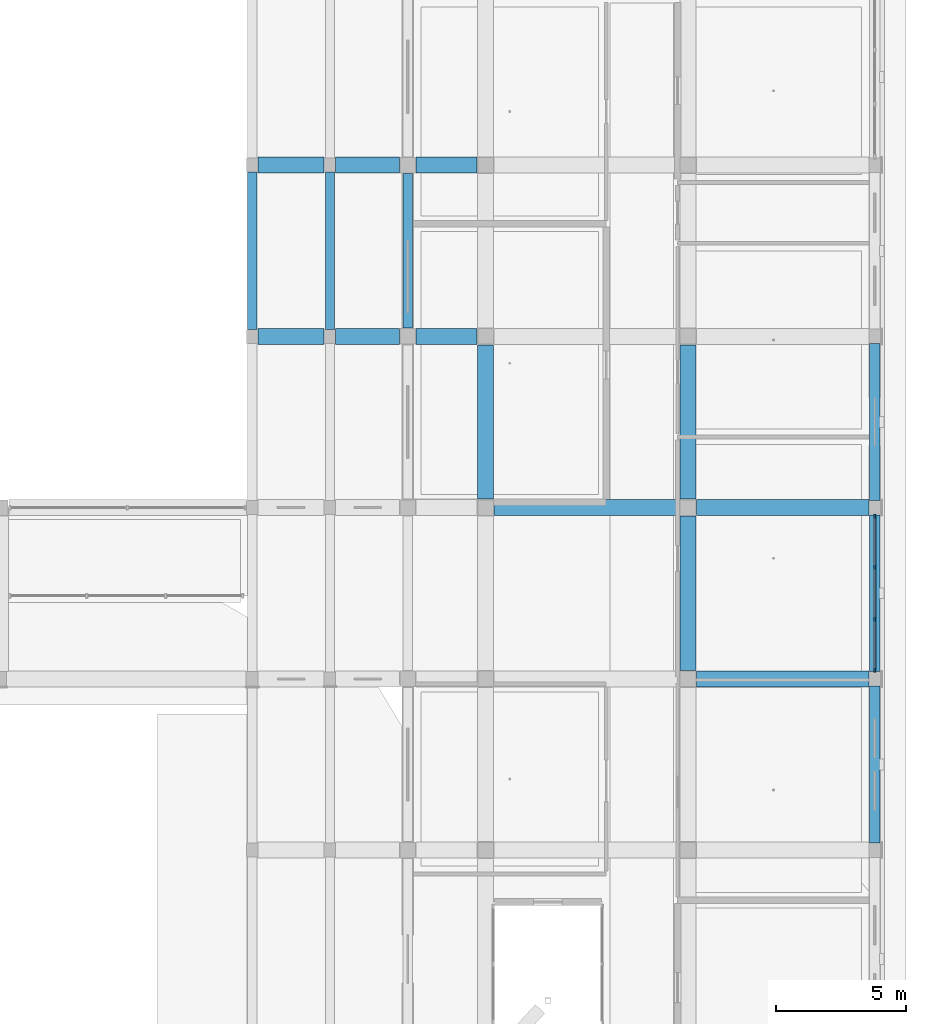
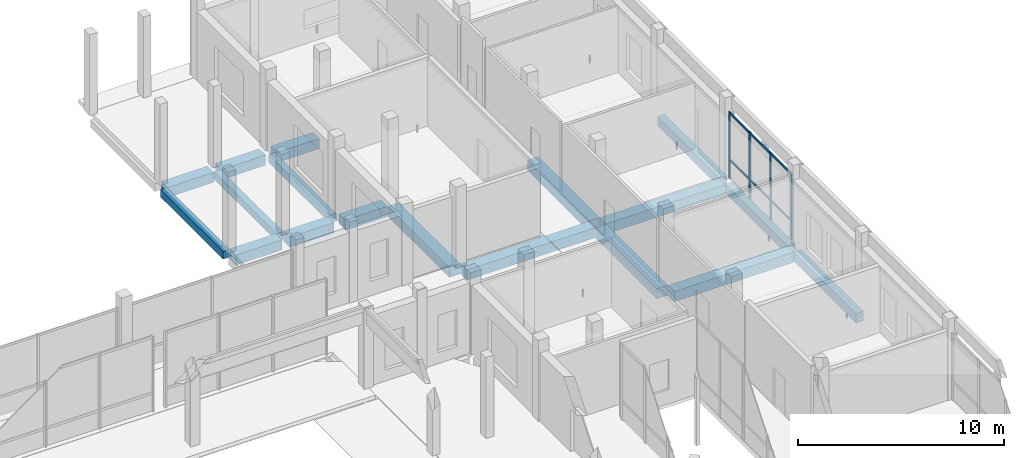
# One storey, part 38 of 88: 18 beams, 6 members, 1 element without a shape of its own.
"""IFC4 building model written with IfcOpenShell, lengths in metres."""

from ifc_helpers import new_model, si_unit, derived_unit, direction, frame, origin, origin_2d, place, context, subcontext, project, spatial, rectangle, extrude, material, material_profile, profile_set, type_object, element, aggregate, save


model = new_model("IFC4")

# Units and contexts
model_context = context("Model", 3, precision=1e-05, world=origin(), true_north=direction((0.0, 1.0)))
body_context = subcontext(model_context, "Body", "Model", "MODEL_VIEW")
ifc_project = project(units=[si_unit("LENGTHUNIT", "METRE"), si_unit("AREAUNIT", "SQUARE_METRE"), si_unit("VOLUMEUNIT", "CUBIC_METRE"), si_unit("PLANEANGLEUNIT", "RADIAN"), si_unit("MASSUNIT", "GRAM", prefix="KILO"), derived_unit("THERMALTRANSMITTANCEUNIT", [(si_unit("POWERUNIT", "WATT"), 1), (si_unit("LENGTHUNIT", "METRE"), -2), (si_unit("THERMODYNAMICTEMPERATUREUNIT", "KELVIN"), -1)])], contexts=[model_context])

# Site, building, storey
site_placement = place(None, origin())
site = spatial("IfcSite", under=ifc_project, at=site_placement, CompositionType="ELEMENT")
building_placement = place(site_placement, origin())
building = spatial("IfcBuilding", under=site, at=building_placement, Name="Braskholm Square Health Centre", CompositionType="ELEMENT")
storey_placement = place(building_placement, origin())
storey = spatial("IfcBuildingStorey", under=building, at=storey_placement, Name="L01", CompositionType="ELEMENT", Elevation=0.0)

# Curtain wall, members
ifc_material_1 = material(Name="Low-E triple insulating glass (VLT 0.64)", Category="glass")
curtain_wall_type = type_object("IfcCurtainWallType", Name="UnitisedCurtainWall6200x4100", PredefinedType="NOTDEFINED", material=ifc_material_1)
curtain_wall_placement = place(storey_placement, origin())
curtain_wall = element("IfcCurtainWall", 1, at=curtain_wall_placement, inside=storey, type_object=curtain_wall_type, Name="East Storefront unitised curtain wall CW-L01-0050", PredefinedType="NOTDEFINED")
ifc_material_2 = material(Name="Architectural bronze anodised aluminium", Category="aluminium")
ifc_material_profile_1 = material_profile(ifc_material_2, rectangle(XDim=0.06494140625, YDim=0.14990234375, at=origin_2d()), Name="ALU-65X150")
ifc_profile_set_1 = profile_set([ifc_material_profile_1], Name="Architectural bronze anodised aluminium")
member_type_1 = type_object("IfcMemberType", Name="CurtainWallMullion65x150", PredefinedType="MULLION", material=ifc_profile_set_1)
member_1_placement = place(storey_placement, frame((163.800048828125, 87.526123046875, 0.0), z_axis=(0.0, 0.0, 1.0), x_axis=(1.0, 0.0, 0.0)))
member_1 = element("IfcMember", 2, at=member_1_placement, type_object=member_type_1, Name="CW-L01-0050 vertical mullion 1", PredefinedType="MULLION", context=body_context, shape_type="SweptSolid", body=[
    extrude(rectangle(XDim=0.06494140625, YDim=0.14990234375, at=origin_2d()), origin(), (0.0, 0.0, 1.0), 3.949951171875),
])
member_2_placement = place(storey_placement, frame((163.800048828125, 89.49658203125, 0.0), z_axis=(0.0, 0.0, 1.0), x_axis=(1.0, 0.0, 0.0)))
member_2 = element("IfcMember", 3, at=member_2_placement, type_object=member_type_1, Name="CW-L01-0050 vertical mullion 2", PredefinedType="MULLION", context=body_context, shape_type="SweptSolid", body=[
    extrude(rectangle(XDim=0.06494140625, YDim=0.14990234375, at=origin_2d()), origin(), (0.0, 0.0, 1.0), 3.949951171875),
])
member_3_placement = place(storey_placement, frame((163.800048828125, 91.50341796875, 0.0), z_axis=(0.0, 0.0, 1.0), x_axis=(1.0, 0.0, 0.0)))
member_3 = element("IfcMember", 4, at=member_3_placement, type_object=member_type_1, Name="CW-L01-0050 vertical mullion 3", PredefinedType="MULLION", context=body_context, shape_type="SweptSolid", body=[
    extrude(rectangle(XDim=0.06494140625, YDim=0.14990234375, at=origin_2d()), origin(), (0.0, 0.0, 1.0), 3.949951171875),
])
member_4_placement = place(storey_placement, frame((163.800048828125, 93.473876953125, 0.0), z_axis=(0.0, 0.0, 1.0), x_axis=(1.0, 0.0, 0.0)))
member_4 = element("IfcMember", 5, at=member_4_placement, type_object=member_type_1, Name="CW-L01-0050 vertical mullion 4", PredefinedType="MULLION", context=body_context, shape_type="SweptSolid", body=[
    extrude(rectangle(XDim=0.06494140625, YDim=0.14990234375, at=origin_2d()), origin(), (0.0, 0.0, 1.0), 3.949951171875),
])
ifc_material_profile_2 = material_profile(ifc_material_2, rectangle(XDim=0.06494140625, YDim=0.1201171875, at=origin_2d()), Name="ALU-65X120")
ifc_profile_set_2 = profile_set([ifc_material_profile_2], Name="Architectural bronze anodised aluminium")
member_type_2 = type_object("IfcMemberType", Name="CurtainWallTransom65x120", PredefinedType="USERDEFINED", material=ifc_profile_set_2)
member_5_placement = place(storey_placement, frame((163.800048828125, 87.534912109375, 1.1201171875), z_axis=(0.0, 1.0, 0.0), x_axis=(-1.0, 0.0, 0.0)))
member_5 = element("IfcMember", 6, at=member_5_placement, type_object=member_type_2, Name="CW-L01-0050 horizontal transom 1", ObjectType="TRANSOM", PredefinedType="USERDEFINED", context=body_context, shape_type="SweptSolid", body=[
    extrude(rectangle(XDim=0.06494140625, YDim=0.1201171875, at=origin_2d()), origin(), (0.0, 0.0, 1.0), 5.93017578125),
])
member_6_placement = place(storey_placement, frame((163.800048828125, 87.534912109375, 3.8798828125), z_axis=(0.0, 1.0, 0.0), x_axis=(-1.0, 0.0, 0.0)))
member_6 = element("IfcMember", 7, at=member_6_placement, type_object=member_type_2, Name="CW-L01-0050 horizontal transom 2", ObjectType="TRANSOM", PredefinedType="USERDEFINED", context=body_context, shape_type="SweptSolid", body=[
    extrude(rectangle(XDim=0.06494140625, YDim=0.1201171875, at=origin_2d()), origin(), (0.0, 0.0, 1.0), 5.93017578125),
])
aggregate(curtain_wall, [member_1, member_2, member_3, member_4, member_5, member_6])

# Beams
ifc_material_3 = material(Name="Concrete C40/50 (f'c = 40 MPa)", Category="concrete")
ifc_material_profile_3 = material_profile(ifc_material_3, rectangle(XDim=0.6201171875, YDim=0.60009765625, at=origin_2d()), Name="RCB-620X600")
ifc_profile_set_3 = profile_set([ifc_material_profile_3], Name="Concrete C40/50 (f'c = 40 MPa)")
beam_type_1 = type_object("IfcBeamType", Name="PrimarySubstructureBeam620x600", PredefinedType="BEAM", material=ifc_profile_set_3)
beam_1_placement = place(storey_placement, frame((148.800048828125, 94.125, -0.60009765625), z_axis=(0.0, 1.0, 0.0), x_axis=(-1.0, 0.0, 0.0)))
element("IfcBeam", 8, at=beam_1_placement, inside=storey, type_object=beam_type_1, Name="Beam 20/P-Q L01", PredefinedType="BEAM", context=body_context, shape_type="SweptSolid", body=[
    extrude(rectangle(XDim=0.6201171875, YDim=0.60009765625, at=origin_2d()), origin(), (0.0, 0.0, 1.0), 5.949951171875),
])
beam_2_placement = place(storey_placement, frame((156.60009765625, 87.52490234375, -0.60009765625), z_axis=(0.0, 1.0, 0.0), x_axis=(-1.0, 0.0, 0.0)))
element("IfcBeam", 9, at=beam_2_placement, inside=storey, type_object=beam_type_1, Name="Beam 21/N-P L01", PredefinedType="BEAM", context=body_context, shape_type="SweptSolid", body=[
    extrude(rectangle(XDim=0.6201171875, YDim=0.60009765625, at=origin_2d()), origin(), (0.0, 0.0, 1.0), 5.9501953125),
])
beam_3_placement = place(storey_placement, frame((156.60009765625, 94.125, -0.60009765625), z_axis=(0.0, 1.0, 0.0), x_axis=(-1.0, 0.0, 0.0)))
element("IfcBeam", 10, at=beam_3_placement, inside=storey, type_object=beam_type_1, Name="Beam 21/P-Q L01", PredefinedType="BEAM", context=body_context, shape_type="SweptSolid", body=[
    extrude(rectangle(XDim=0.6201171875, YDim=0.60009765625, at=origin_2d()), origin(), (0.0, 0.0, 1.0), 5.949951171875),
])
beam_4_placement = place(storey_placement, frame((156.925048828125, 87.199951171875, -0.60009765625), z_axis=(1.0, 0.0, 0.0), x_axis=(0.0, 1.0, 0.0)))
element("IfcBeam", 11, at=beam_4_placement, inside=storey, type_object=beam_type_1, Name="Beam 21-22/N L01", PredefinedType="BEAM", context=body_context, shape_type="SweptSolid", body=[
    extrude(rectangle(XDim=0.6201171875, YDim=0.60009765625, at=origin_2d()), origin(), (0.0, 0.0, 1.0), 6.64501953125),
])
beam_5_placement = place(storey_placement, frame((149.125, 93.800048828125, -0.60009765625), z_axis=(1.0, 0.0, 0.0), x_axis=(0.0, 1.0, 0.0)))
element("IfcBeam", 12, at=beam_5_placement, inside=storey, type_object=beam_type_1, Name="Beam 20-21/P L01", PredefinedType="BEAM", context=body_context, shape_type="SweptSolid", body=[
    extrude(rectangle(XDim=0.6201171875, YDim=0.60009765625, at=origin_2d()), origin(), (0.0, 0.0, 1.0), 7.14990234375),
])
beam_6_placement = place(storey_placement, frame((156.925048828125, 93.800048828125, -0.60009765625), z_axis=(1.0, 0.0, 0.0), x_axis=(0.0, 1.0, 0.0)))
element("IfcBeam", 13, at=beam_6_placement, inside=storey, type_object=beam_type_1, Name="Beam 21-22/P L01", PredefinedType="BEAM", context=body_context, shape_type="SweptSolid", body=[
    extrude(rectangle(XDim=0.6201171875, YDim=0.60009765625, at=origin_2d()), origin(), (0.0, 0.0, 1.0), 6.64501953125),
])
beam_7_placement = place(storey_placement, frame((140.02001953125, 100.39990234375, -0.52490234375), z_axis=(1.0, 0.0, 0.0), x_axis=(0.0, 1.0, 0.0)))
element("IfcBeam", 14, at=beam_7_placement, inside=storey, type_object=beam_type_1, Name="Beam 17-18/Q L01", PredefinedType="BEAM", context=body_context, shape_type="SweptSolid", body=[
    extrude(rectangle(XDim=0.6201171875, YDim=0.60009765625, at=origin_2d()), origin(), (0.0, 0.0, 1.0), 2.56005859375),
])
beam_8_placement = place(storey_placement, frame((143.02001953125, 100.39990234375, -0.52490234375), z_axis=(1.0, 0.0, 0.0), x_axis=(0.0, 1.0, 0.0)))
element("IfcBeam", 15, at=beam_8_placement, inside=storey, type_object=beam_type_1, Name="Beam 18-19/Q L01", PredefinedType="BEAM", context=body_context, shape_type="SweptSolid", body=[
    extrude(rectangle(XDim=0.6201171875, YDim=0.60009765625, at=origin_2d()), origin(), (0.0, 0.0, 1.0), 2.455078125),
])
beam_9_placement = place(storey_placement, frame((146.125, 100.39990234375, -0.60009765625), z_axis=(1.0, 0.0, 0.0), x_axis=(0.0, 1.0, 0.0)))
element("IfcBeam", 16, at=beam_9_placement, inside=storey, type_object=beam_type_1, Name="Beam 19-20/Q L01", PredefinedType="BEAM", context=body_context, shape_type="SweptSolid", body=[
    extrude(rectangle(XDim=0.6201171875, YDim=0.60009765625, at=origin_2d()), origin(), (0.0, 0.0, 1.0), 2.35009765625),
])
beam_10_placement = place(storey_placement, frame((140.02001953125, 107.0, -0.52490234375), z_axis=(1.0, 0.0, 0.0), x_axis=(0.0, 1.0, 0.0)))
element("IfcBeam", 17, at=beam_10_placement, inside=storey, type_object=beam_type_1, Name="Beam 17-18/R L01", PredefinedType="BEAM", context=body_context, shape_type="SweptSolid", body=[
    extrude(rectangle(XDim=0.6201171875, YDim=0.60009765625, at=origin_2d()), origin(), (0.0, 0.0, 1.0), 2.56005859375),
])
beam_11_placement = place(storey_placement, frame((143.02001953125, 107.0, -0.52490234375), z_axis=(1.0, 0.0, 0.0), x_axis=(0.0, 1.0, 0.0)))
element("IfcBeam", 18, at=beam_11_placement, inside=storey, type_object=beam_type_1, Name="Beam 18-19/R L01", PredefinedType="BEAM", context=body_context, shape_type="SweptSolid", body=[
    extrude(rectangle(XDim=0.6201171875, YDim=0.60009765625, at=origin_2d()), origin(), (0.0, 0.0, 1.0), 2.455078125),
])
beam_12_placement = place(storey_placement, frame((146.125, 107.0, -0.60009765625), z_axis=(1.0, 0.0, 0.0), x_axis=(0.0, 1.0, 0.0)))
element("IfcBeam", 19, at=beam_12_placement, inside=storey, type_object=beam_type_1, Name="Beam 19-20/R L01", PredefinedType="BEAM", context=body_context, shape_type="SweptSolid", body=[
    extrude(rectangle(XDim=0.6201171875, YDim=0.60009765625, at=origin_2d()), origin(), (0.0, 0.0, 1.0), 2.35009765625),
])
ifc_material_4 = material(Name="Precast concrete C40/50 architectural white", Category="concrete")
ifc_material_profile_4 = material_profile(ifc_material_4, rectangle(XDim=0.419921875, YDim=0.550048828125, at=origin_2d()), Name="RCB-420X550")
ifc_profile_set_4 = profile_set([ifc_material_profile_4], Name="Precast concrete C40/50 architectural white")
beam_type_2 = type_object("IfcBeamType", Name="SpandrelPrecastLedge420x550", PredefinedType="SPANDREL", material=ifc_profile_set_4)
for number, where, z_axis, x_axis, name in (
    (20, (163.800048828125, 80.8798828125, -0.574951171875), (0.0, 1.0, 0.0), (-1.0, 0.0, 0.0), "Beam 22/M-N L01"),
    (21, (163.800048828125, 87.47998046875, -0.574951171875), (0.0, 1.0, 0.0), (-1.0, 0.0, 0.0), "Beam 22/N-P L01"),
    (22, (163.800048828125, 94.080078125, -0.574951171875), (0.0, 1.0, 0.0), (-1.0, 0.0, 0.0), "Beam 22/P-Q L01"),
):
    element("IfcBeam", number, at=place(storey_placement, frame(where, z_axis=z_axis, x_axis=x_axis)), inside=storey, type_object=beam_type_2, Name=name, PredefinedType="SPANDREL", context=body_context, shape_type="SweptSolid", body=[
        extrude(rectangle(XDim=0.419921875, YDim=0.550048828125, at=origin_2d()), origin(), (0.0, 0.0, 1.0), 6.0400390625),
    ])
ifc_material_profile_5 = material_profile(ifc_material_4, rectangle(XDim=0.360107421875, YDim=0.4599609375, at=origin_2d()), Name="RCB-360X460")
ifc_profile_set_5 = profile_set([ifc_material_profile_5], Name="Precast concrete C40/50 architectural white")
beam_type_3 = type_object("IfcBeamType", Name="SpandrelTerraceEdge360x460", PredefinedType="SPANDREL", material=ifc_profile_set_5)
for number, where, z_axis, x_axis, name in (
    (23, (139.800048828125, 100.669921875, -0.455078125), (0.0, 1.0, 0.0), (-1.0, 0.0, 0.0), "Beam 17/Q-R L01"),
    (24, (142.800048828125, 100.669921875, -0.455078125), (0.0, 1.0, 0.0), (-1.0, 0.0, 0.0), "Beam 18/Q-R L01"),
):
    element("IfcBeam", number, at=place(storey_placement, frame(where, z_axis=z_axis, x_axis=x_axis)), inside=storey, type_object=beam_type_3, Name=name, PredefinedType="SPANDREL", context=body_context, shape_type="SweptSolid", body=[
        extrude(rectangle(XDim=0.360107421875, YDim=0.4599609375, at=origin_2d()), origin(), (0.0, 0.0, 1.0), 6.06005859375),
    ])
beam_13_placement = place(storey_placement, frame((145.800048828125, 100.72509765625, -0.455078125), z_axis=(0.0, 1.0, 0.0), x_axis=(-1.0, 0.0, 0.0)))
element("IfcBeam", 25, at=beam_13_placement, inside=storey, type_object=beam_type_3, Name="Beam 19/Q-R L01", PredefinedType="SPANDREL", context=body_context, shape_type="SweptSolid", body=[
    extrude(rectangle(XDim=0.360107421875, YDim=0.4599609375, at=origin_2d()), origin(), (0.0, 0.0, 1.0), 5.949951171875),
])

save(model, "model.ifc")
